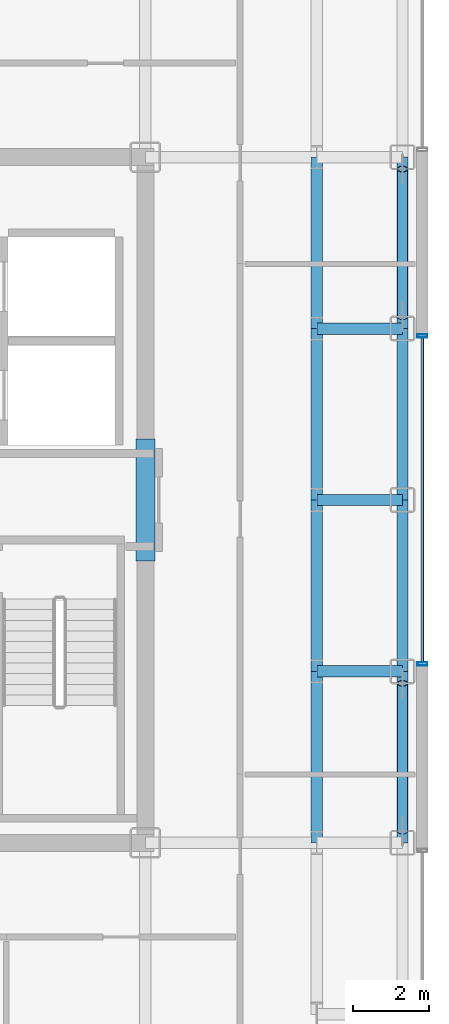
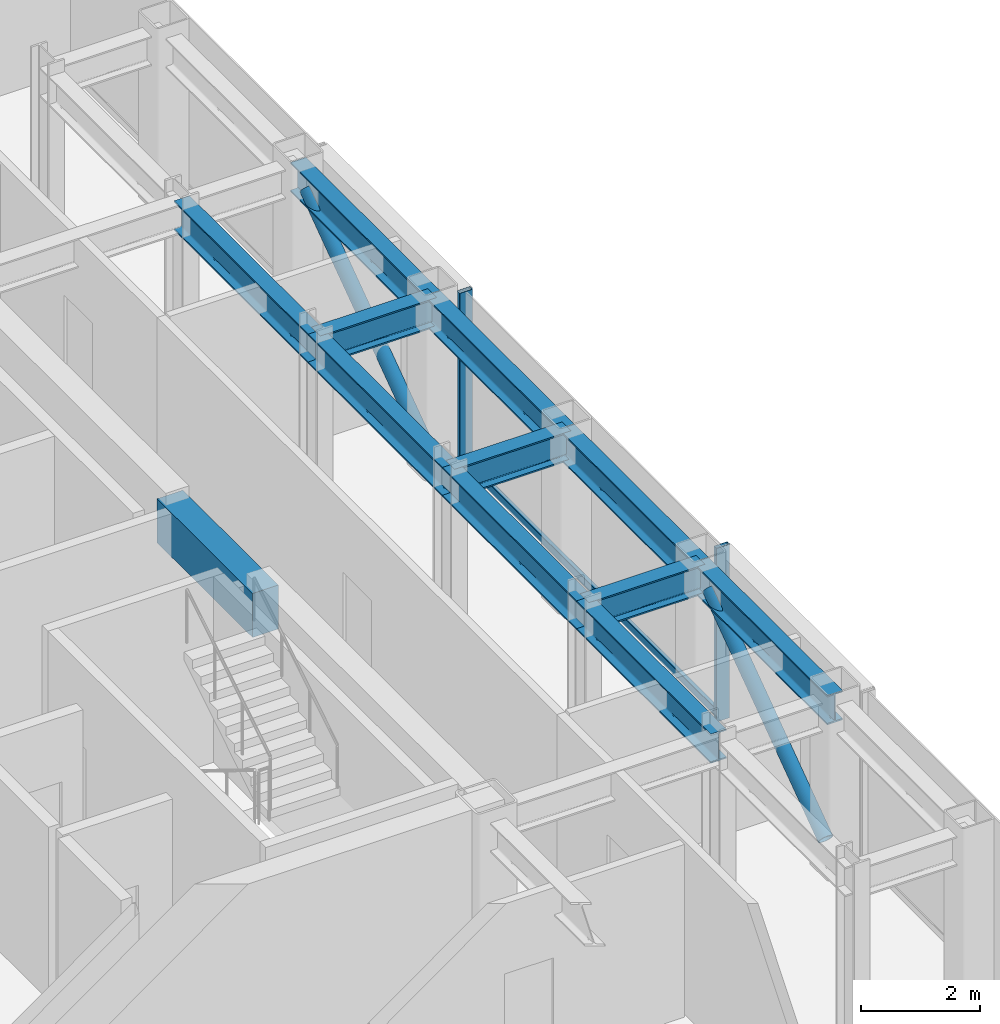
# One storey, part 6 of 16: 12 beams, 5 members, 1 element without a shape of its own.
"""IFC4 building model written with IfcOpenShell, lengths in metres."""

from ifc_helpers import new_model, si_unit, direction, frame, origin, origin_2d, place, context, subcontext, project, spatial, rectangle, hollow_rectangle, hollow_circle, i_section, extrude, source, transform, mapped, material, layer, layer_set, material_profile, profile_set, type_object, element, aggregate, save


model = new_model("IFC4")

# Units and contexts
model_context = context("Model", 3, precision=1e-05, world=origin(), true_north=direction((0.0, 1.0)))
body_context = subcontext(model_context, "Body", "Model", "MODEL_VIEW")
ifc_project = project(units=[si_unit("LENGTHUNIT", "METRE"), si_unit("AREAUNIT", "SQUARE_METRE"), si_unit("VOLUMEUNIT", "CUBIC_METRE"), si_unit("PLANEANGLEUNIT", "RADIAN"), si_unit("MASSUNIT", "GRAM", prefix="KILO")], contexts=[model_context])

# Site, building, storey
site_placement = place(None, origin())
site = spatial("IfcSite", under=ifc_project, at=site_placement, CompositionType="ELEMENT")
building_placement = place(site_placement, origin())
building = spatial("IfcBuilding", under=site, at=building_placement, Name="Nefas-Gora Pilgrimage Tower", CompositionType="ELEMENT")
storey_placement = place(building_placement, frame((0.0, 0.0, 276.0)))
storey = spatial("IfcBuildingStorey", under=building, at=storey_placement, Name="L69", CompositionType="ELEMENT", Elevation=276.0)

# Beams
ifc_material_1 = material(Name="Concrete C50/60", Category="concrete")
ifc_material_profile_1 = material_profile(ifc_material_1, rectangle(XDim=0.5, YDim=0.89990234375, at=origin_2d()), Name="RC 500x900")
ifc_profile_set_1 = profile_set([ifc_material_profile_1], Name="Concrete C50/60")
beam_type_1 = type_object("IfcBeamType", Name="BM-LIN-RC900", PredefinedType="LINTEL", material=ifc_profile_set_1)
shared_shape_1 = source(origin(), body_context, "Body", "SweptSolid", [
    extrude(rectangle(XDim=0.5, YDim=0.89990234375, at=origin_2d()), origin(), (0.0, 0.0, 1.0), 3.2001953125),
])
beam_placement = place(storey_placement, frame((11.25, -1.60009765625, 3.10009765625), z_axis=(0.0, 1.0, 0.0), x_axis=(-1.0, 0.0, 0.0)))
element("IfcBeam", 1, at=beam_placement, inside=storey, type_object=beam_type_1, Name="L69 Core Coupling Lintel Beam E", PredefinedType="LINTEL", context=body_context, shape_type="MappedRepresentation", body=[
    mapped(shared_shape_1, transform((0.0, 0.0, 0.0), x_axis=(1.0, 0.0, 0.0), y_axis=(0.0, 1.0, 0.0), z_axis=(0.0, 0.0, 1.0), scale=1.0)),
])
ifc_material_2 = material(Name="Steel S355", Category="steel")
ifc_material_profile_2 = material_profile(ifc_material_2, i_section(OverallWidth=0.300048828125, OverallDepth=0.60009765625, WebThickness=0.015380859375, FlangeThickness=0.030029296875, FilletRadius=0.027099609375, at=origin_2d()), Name="HEB 600")
ifc_profile_set_2 = profile_set([ifc_material_profile_2], Name="Steel S355")
beam_type_2 = type_object("IfcBeamType", Name="BM-SPN-HEB450", PredefinedType="SPANDREL", material=ifc_profile_set_2)
shared_shape_2 = source(origin(), body_context, "Body", "SweptSolid", [
    extrude(i_section(OverallWidth=0.300048828125, OverallDepth=0.60009765625, WebThickness=0.015380859375, FlangeThickness=0.030029296875, FilletRadius=0.027099609375, at=origin_2d()), origin(), (0.0, 0.0, 1.0), 4.5),
])
for number, where, z_axis, x_axis, name in (
    (2, (18.0, -9.0, 3.25), (0.0, 1.0, 0.0), (-1.0, 0.0, 0.0), "L69 SP-03 beam"),
    (3, (18.0, -4.5, 3.25), (0.0, 1.0, 0.0), (-1.0, 0.0, 0.0), "L69 SP-03 beam"),
    (4, (18.0, 0.0, 3.25), (0.0, 1.0, 0.0), (-1.0, 0.0, 0.0), "L69 SP-03 beam"),
    (5, (18.0, 4.5, 3.25), (0.0, 1.0, 0.0), (-1.0, 0.0, 0.0), "L69 SP-03 beam"),
):
    element("IfcBeam", number, at=place(storey_placement, frame(where, z_axis=z_axis, x_axis=x_axis)), inside=storey, type_object=beam_type_2, Name=name, PredefinedType="SPANDREL", context=body_context, shape_type="MappedRepresentation", body=[
        mapped(shared_shape_2, transform((0.0, 0.0, 0.0), x_axis=(1.0, 0.0, 0.0), y_axis=(0.0, 1.0, 0.0), z_axis=(0.0, 0.0, 1.0), scale=1.0)),
    ])
ifc_material_profile_3 = material_profile(ifc_material_2, i_section(OverallWidth=0.300048828125, OverallDepth=0.60009765625, WebThickness=0.015380859375, FlangeThickness=0.030029296875, FilletRadius=0.027099609375, at=origin_2d()), Name="HEB 600")
ifc_profile_set_3 = profile_set([ifc_material_profile_3], Name="Steel S355")
beam_type_3 = type_object("IfcBeamType", Name="BM-GIR-HEB600", PredefinedType="BEAM", material=ifc_profile_set_3)
shared_shape_3 = source(origin(), body_context, "Body", "SweptSolid", [
    extrude(i_section(OverallWidth=0.300048828125, OverallDepth=0.60009765625, WebThickness=0.015380859375, FlangeThickness=0.030029296875, FilletRadius=0.027099609375, at=origin_2d()), origin(), (0.0, 0.0, 1.0), 4.5),
])
for number, where, z_axis, x_axis, name in (
    (6, (15.75, -9.0, 3.25), (0.0, 1.0, 0.0), (-1.0, 0.0, 0.0), "L69 G-04 beam"),
    (7, (15.75, -4.5, 3.25), (0.0, 1.0, 0.0), (-1.0, 0.0, 0.0), "L69 G-04 beam"),
    (8, (15.75, 0.0, 3.25), (0.0, 1.0, 0.0), (-1.0, 0.0, 0.0), "L69 G-04 beam"),
    (9, (15.75, 4.5, 3.25), (0.0, 1.0, 0.0), (-1.0, 0.0, 0.0), "L69 G-04 beam"),
):
    element("IfcBeam", number, at=place(storey_placement, frame(where, z_axis=z_axis, x_axis=x_axis)), inside=storey, type_object=beam_type_3, Name=name, PredefinedType="BEAM", context=body_context, shape_type="MappedRepresentation", body=[
        mapped(shared_shape_3, transform((0.0, 0.0, 0.0), x_axis=(1.0, 0.0, 0.0), y_axis=(0.0, 1.0, 0.0), z_axis=(0.0, 0.0, 1.0), scale=1.0)),
    ])
shared_shape_4 = source(origin(), body_context, "Body", "SweptSolid", [
    extrude(i_section(OverallWidth=0.300048828125, OverallDepth=0.60009765625, WebThickness=0.015380859375, FlangeThickness=0.030029296875, FilletRadius=0.027099609375, at=origin_2d()), origin(), (0.0, 0.0, 1.0), 2.25),
])
for number, where, z_axis, x_axis, name in (
    (10, (15.75, -4.5, 3.25), (1.0, 0.0, 0.0), (0.0, 1.0, 0.0), "L69 G-04 beam"),
    (11, (15.75, 0.0, 3.25), (1.0, 0.0, 0.0), (0.0, 1.0, 0.0), "L69 G-04 beam"),
    (12, (15.75, 4.5, 3.25), (1.0, 0.0, 0.0), (0.0, 1.0, 0.0), "L69 G-04 beam"),
):
    element("IfcBeam", number, at=place(storey_placement, frame(where, z_axis=z_axis, x_axis=x_axis)), inside=storey, type_object=beam_type_3, Name=name, PredefinedType="BEAM", context=body_context, shape_type="MappedRepresentation", body=[
        mapped(shared_shape_4, transform((0.0, 0.0, 0.0), x_axis=(1.0, 0.0, 0.0), y_axis=(0.0, 1.0, 0.0), z_axis=(0.0, 0.0, 1.0), scale=1.0)),
    ])

# Members
ifc_material_profile_4 = material_profile(ifc_material_2, hollow_circle(Radius=0.136474609375, WallThickness=0.01611328125, at=origin_2d()), Name="CHS 273x16")
ifc_profile_set_4 = profile_set([ifc_material_profile_4], Name="Steel S355")
member_type_1 = type_object("IfcMemberType", Name="MEM-TUBE-273", PredefinedType="BRACE", material=ifc_profile_set_4)
shared_shape_5 = source(origin(), body_context, "Body", "SweptSolid", [
    extrude(hollow_circle(Radius=0.136474609375, WallThickness=0.01611328125, at=origin_2d()), origin(), (0.0, 0.0, 1.0), 4.763671875),
])
for number, where, z_axis, x_axis, name in (
    (13, (18.0, -8.68701171875, 0.3740234375), (0.0, 0.813255312614, 0.581907034246), (-1.0, 0.0, 0.0), "L69 Perimeter Tube Diagonal Brace E1"),
    (14, (18.0, 4.81298828125, 0.3740234375), (0.0, 0.813255312614, 0.581907034246), (-1.0, 0.0, 0.0), "L69 Perimeter Tube Diagonal Brace E2"),
):
    element("IfcMember", number, at=place(storey_placement, frame(where, z_axis=z_axis, x_axis=x_axis)), inside=storey, type_object=member_type_1, Name=name, PredefinedType="BRACE", context=body_context, shape_type="MappedRepresentation", body=[
        mapped(shared_shape_5, transform((0.0, 0.0, 0.0), x_axis=(1.0, 0.0, 0.0), y_axis=(0.0, 1.0, 0.0), z_axis=(0.0, 0.0, 1.0), scale=1.0)),
    ])

# Curtain wall, members
ifc_material_3 = material(Name="Dark ceramic-fritted solar-control aluminium-glass curtain wall", Category="aluminium")
ifc_layer = layer(ifc_material_3, 0.219970703125)
ifc_layer_set = layer_set([ifc_layer], Name="Dark ceramic-fritted solar-control aluminium-glass curtain wall")
curtain_wall_type = type_object("IfcCurtainWallType", Name="CW-SYS-4", PredefinedType="NOTDEFINED", material=ifc_layer_set)
curtain_wall_placement = place(storey_placement, origin())
curtain_wall = element("IfcCurtainWall", 15, at=curtain_wall_placement, inside=storey, type_object=curtain_wall_type, Name="L69 Unitised Curtain Wall CW4", PredefinedType="NOTDEFINED")
ifc_material_4 = material(Name="Anodised architectural aluminium", Category="aluminium")
ifc_material_profile_5 = material_profile(ifc_material_4, hollow_rectangle(XDim=0.080078125, YDim=0.159912109375, WallThickness=0.00439453125, InnerFilletRadius=0.00439453125, OuterFilletRadius=0.009033203125, at=origin_2d()), Name="ALU TRANSOM 80x160")
ifc_profile_set_5 = profile_set([ifc_material_profile_5], Name="Anodised architectural aluminium")
member_type_2 = type_object("IfcMemberType", Name="CWM-TRN-4", PredefinedType="USERDEFINED", material=ifc_profile_set_5)
shared_shape_6 = source(origin(), body_context, "Body", "SweptSolid", [
    extrude(hollow_rectangle(XDim=0.080078125, YDim=0.159912109375, WallThickness=0.00439453125, InnerFilletRadius=0.00439453125, OuterFilletRadius=0.009033203125, at=origin_2d()), origin(), (0.0, 0.0, 1.0), 8.52001953125),
])
member_1_placement = place(storey_placement, frame((18.52001953125, -4.260009765625, 0.050048828125), z_axis=(0.0, 1.0, 0.0), x_axis=(-1.0, 0.0, 0.0)))
member_1 = element("IfcMember", 16, at=member_1_placement, type_object=member_type_2, Name="CW4 Spandrel Transom", ObjectType="TRANSOM", PredefinedType="USERDEFINED", context=body_context, shape_type="MappedRepresentation", body=[
    mapped(shared_shape_6, transform((0.0, 0.0, 0.0), x_axis=(1.0, 0.0, 0.0), y_axis=(0.0, 1.0, 0.0), z_axis=(0.0, 0.0, 1.0), scale=1.0)),
])
ifc_material_profile_6 = material_profile(ifc_material_4, hollow_rectangle(XDim=0.090087890625, YDim=0.260009765625, WallThickness=0.006103515625, InnerFilletRadius=0.006103515625, OuterFilletRadius=0.011962890625, at=origin_2d()), Name="ALU MULLION 90x260")
ifc_profile_set_6 = profile_set([ifc_material_profile_6], Name="Anodised architectural aluminium")
member_type_3 = type_object("IfcMemberType", Name="CWM-MUL-4", PredefinedType="MULLION", material=ifc_profile_set_6)
shared_shape_7 = source(origin(), body_context, "Body", "SweptSolid", [
    extrude(hollow_rectangle(XDim=0.090087890625, YDim=0.260009765625, WallThickness=0.006103515625, InnerFilletRadius=0.006103515625, OuterFilletRadius=0.011962890625, at=origin_2d()), origin(), (0.0, 0.0, 1.0), 3.550048828125),
])
member_2_placement = place(storey_placement, frame((18.52001953125, -4.304931640625, 0.0), z_axis=(0.0, 0.0, 1.0), x_axis=(0.0, 1.0, 0.0)))
member_2 = element("IfcMember", 17, at=member_2_placement, type_object=member_type_3, Name="CW4 Mullion 1", PredefinedType="MULLION", context=body_context, shape_type="MappedRepresentation", body=[
    mapped(shared_shape_7, transform((0.0, 0.0, 0.0), x_axis=(1.0, 0.0, 0.0), y_axis=(0.0, 1.0, 0.0), z_axis=(0.0, 0.0, 1.0), scale=1.0)),
])
member_3_placement = place(storey_placement, frame((18.52001953125, 4.304931640625, 0.0), z_axis=(0.0, 0.0, 1.0), x_axis=(0.0, 1.0, 0.0)))
member_3 = element("IfcMember", 18, at=member_3_placement, type_object=member_type_3, Name="CW4 Mullion 2", PredefinedType="MULLION", context=body_context, shape_type="MappedRepresentation", body=[
    mapped(shared_shape_7, transform((0.0, 0.0, 0.0), x_axis=(1.0, 0.0, 0.0), y_axis=(0.0, 1.0, 0.0), z_axis=(0.0, 0.0, 1.0), scale=1.0)),
])
aggregate(curtain_wall, [member_2, member_3, member_1])

save(model, "model.ifc")
